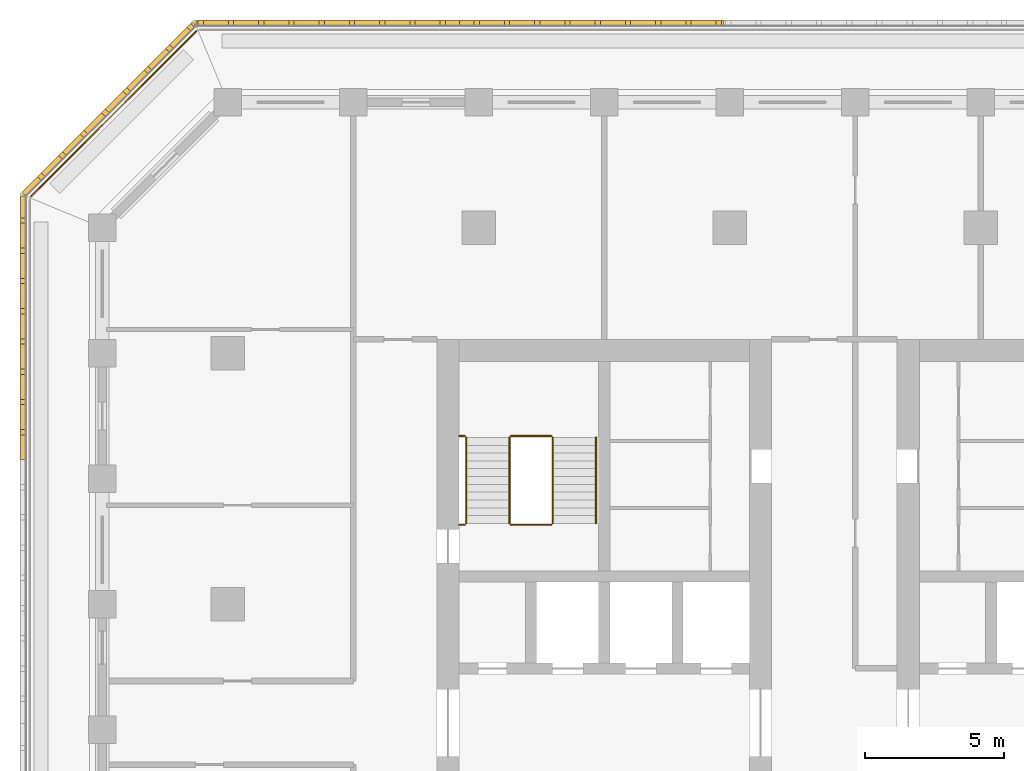
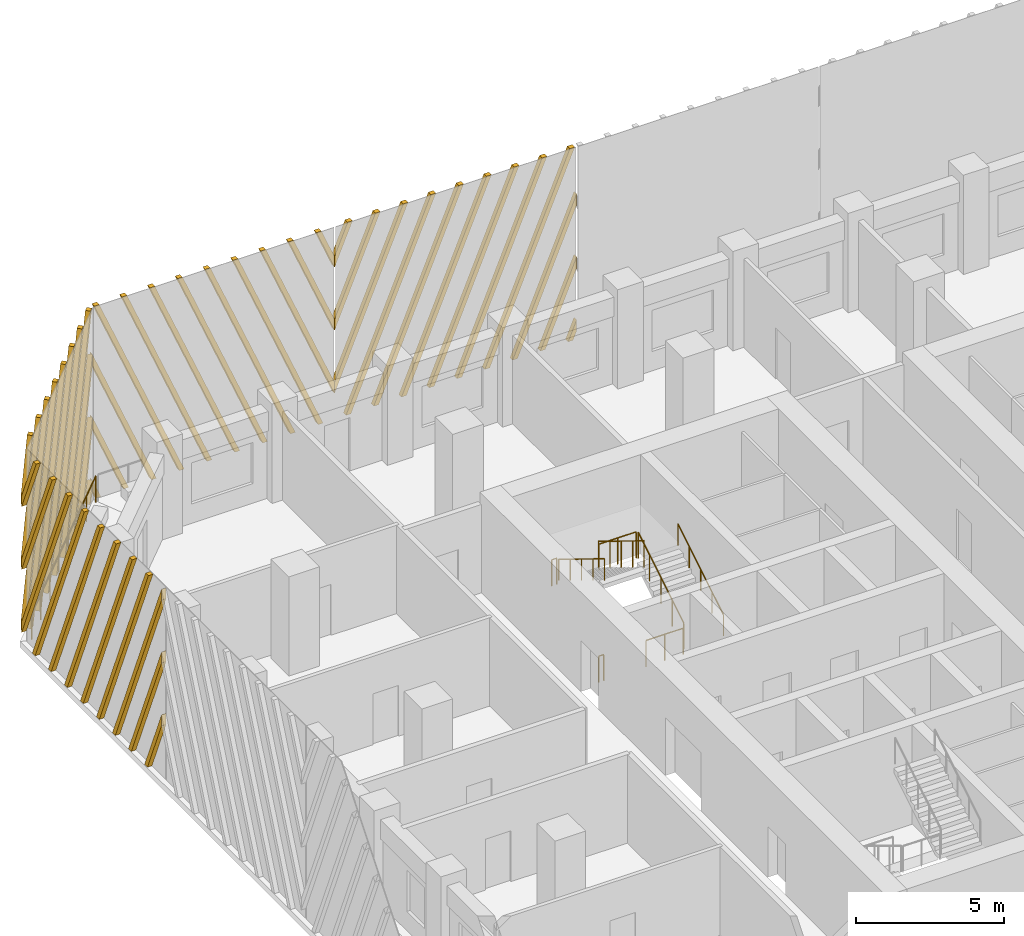
# One storey, part 14 of 17: 9 railings, 4 shading devices.
"""IFC4 building model written with IfcOpenShell, lengths in metres."""

from ifc_helpers import new_model, si_unit, direction, frame, origin, origin_2d, place, context, subcontext, project, spatial, polyline, circle, outline, extrude, source, transform, mapped, material, type_object, element, save


model = new_model("IFC4")

# Units and contexts
model_context = context("Model", 3, precision=1e-05, world=origin(), true_north=direction((0.0, 1.0)))
body_context = subcontext(model_context, "Body", "Model", "MODEL_VIEW")
ifc_project = project(units=[si_unit("LENGTHUNIT", "METRE"), si_unit("AREAUNIT", "SQUARE_METRE"), si_unit("VOLUMEUNIT", "CUBIC_METRE"), si_unit("PLANEANGLEUNIT", "RADIAN"), si_unit("MASSUNIT", "GRAM", prefix="KILO")], contexts=[model_context])

# Site, building, storey
site_placement = place(None, origin())
site = spatial("IfcSite", under=ifc_project, at=site_placement, CompositionType="ELEMENT")
building_placement = place(site_placement, origin())
building = spatial("IfcBuilding", under=site, at=building_placement, Name="Corbel Stack Research Tower", CompositionType="ELEMENT")
storey_placement = place(building_placement, frame((0.0, 0.0, 207.89990234375)))
storey = spatial("IfcBuildingStorey", under=building, at=storey_placement, Name="L47", CompositionType="ELEMENT", Elevation=207.89990234375)

# Railings
ifc_material_1 = material(Name="Steel S355", Category="steel")
railing_type_1 = type_object("IfcRailingType", Name="Stair guard 1100", PredefinedType="GUARDRAIL", material=ifc_material_1)
railing_1_placement = place(storey_placement, frame((-6.35009765625, 11.89990234375, 0.1708984375)))
element("IfcRailing", 1, at=railing_1_placement, inside=storey, type_object=railing_type_1, Name="L47 ST-W2 stair guard 1", PredefinedType="GUARDRAIL", context=body_context, shape_type="SweptSolid", body=[
    extrude(circle(Radius=0.02392578125, at=origin_2d()), frame((0.0, 0.0, 1.076171875), z_axis=(0.0, 0.853666305674, 0.52082035152), x_axis=(-1.0, 0.0, 0.0)), (0.0, 0.0, 1.0), 3.608154296875),
    extrude(circle(Radius=0.02099609375, at=origin_2d()), origin(), (0.0, 0.0, 1.0), 1.052001953125),
    extrude(circle(Radius=0.02099609375, at=origin_2d()), frame((0.0, 0.77001953125, 0.4697265625)), (0.0, 0.0, 1.0), 1.052001953125),
    extrude(circle(Radius=0.02099609375, at=origin_2d()), frame((0.0, 1.5400390625, 0.939453125)), (0.0, 0.0, 1.0), 1.052001953125),
    extrude(circle(Radius=0.02099609375, at=origin_2d()), frame((0.0, 2.31005859375, 1.409423828125)), (0.0, 0.0, 1.0), 1.052001953125),
    extrude(circle(Radius=0.02099609375, at=origin_2d()), frame((0.0, 3.080078125, 1.879150390625)), (0.0, 0.0, 1.0), 1.052001953125),
])
railing_2_placement = place(storey_placement, frame((-6.39990234375, 15.030029296875, 2.050048828125)))
element("IfcRailing", 2, at=railing_2_placement, inside=storey, type_object=railing_type_1, Name="L47 ST-W2 stair guard 2", PredefinedType="GUARDRAIL", context=body_context, shape_type="SweptSolid", body=[
    extrude(circle(Radius=0.02392578125, at=origin_2d()), frame((0.0, 0.0, 1.076171875), z_axis=(-1.0, 0.0, 0.0), x_axis=(0.0, -1.0, 0.0)), (0.0, 0.0, 1.0), 1.4501953125),
    extrude(circle(Radius=0.02099609375, at=origin_2d()), origin(), (0.0, 0.0, 1.0), 1.052001953125),
    extrude(circle(Radius=0.02099609375, at=origin_2d()), frame((-0.72509765625, 0.0, 0.0)), (0.0, 0.0, 1.0), 1.052001953125),
    extrude(circle(Radius=0.02099609375, at=origin_2d()), frame((-1.4501953125, 0.0, 0.0)), (0.0, 0.0, 1.0), 1.052001953125),
])
railing_3_placement = place(storey_placement, frame((-9.5, 15.030029296875, 2.050048828125)))
element("IfcRailing", 3, at=railing_3_placement, inside=storey, type_object=railing_type_1, Name="L47 ST-W2 stair guard 3", PredefinedType="GUARDRAIL", context=body_context, shape_type="SweptSolid", body=[
    extrude(circle(Radius=0.02392578125, at=origin_2d()), frame((0.0, 0.0, 1.076171875), z_axis=(-1.0, 0.0, 0.0), x_axis=(0.0, -1.0, 0.0)), (0.0, 0.0, 1.0), 0.199951171875),
    extrude(circle(Radius=0.02099609375, at=origin_2d()), origin(), (0.0, 0.0, 1.0), 1.052001953125),
    extrude(circle(Radius=0.02099609375, at=origin_2d()), frame((-0.199951171875, 0.0, 0.0)), (0.0, 0.0, 1.0), 1.052001953125),
])
railing_4_placement = place(storey_placement, frame((-7.89990234375, 14.97998046875, 2.220947265625)))
element("IfcRailing", 4, at=railing_4_placement, inside=storey, type_object=railing_type_1, Name="L47 ST-W2 stair guard 4", PredefinedType="GUARDRAIL", context=body_context, shape_type="SweptSolid", body=[
    extrude(circle(Radius=0.02392578125, at=origin_2d()), frame((0.0, 0.0, 1.076171875), z_axis=(0.0, -0.853666305674, 0.52082035152), x_axis=(1.0, 0.0, 0.0)), (0.0, 0.0, 1.0), 3.608154296875),
    extrude(circle(Radius=0.02099609375, at=origin_2d()), origin(), (0.0, 0.0, 1.0), 1.052001953125),
    extrude(circle(Radius=0.02099609375, at=origin_2d()), frame((0.0, -0.77001953125, 0.4697265625)), (0.0, 0.0, 1.0), 1.052001953125),
    extrude(circle(Radius=0.02099609375, at=origin_2d()), frame((0.0, -1.5400390625, 0.939453125)), (0.0, 0.0, 1.0), 1.052001953125),
    extrude(circle(Radius=0.02099609375, at=origin_2d()), frame((0.0, -2.31005859375, 1.409423828125)), (0.0, 0.0, 1.0), 1.052001953125),
    extrude(circle(Radius=0.02099609375, at=origin_2d()), frame((0.0, -3.080078125, 1.879150390625)), (0.0, 0.0, 1.0), 1.052001953125),
])
railing_5_placement = place(storey_placement, frame((-6.39990234375, 11.85009765625, 0.0)))
element("IfcRailing", 5, at=railing_5_placement, inside=storey, type_object=railing_type_1, Name="L47 ST-W2 stair guard 5", PredefinedType="GUARDRAIL", context=body_context, shape_type="SweptSolid", body=[
    extrude(circle(Radius=0.02392578125, at=origin_2d()), frame((0.0, 0.0, 1.076171875), z_axis=(-1.0, 0.0, 0.0), x_axis=(0.0, -1.0, 0.0)), (0.0, 0.0, 1.0), 1.4501953125),
    extrude(circle(Radius=0.02099609375, at=origin_2d()), origin(), (0.0, 0.0, 1.0), 1.052001953125),
    extrude(circle(Radius=0.02099609375, at=origin_2d()), frame((-0.72509765625, 0.0, 0.0)), (0.0, 0.0, 1.0), 1.052001953125),
    extrude(circle(Radius=0.02099609375, at=origin_2d()), frame((-1.4501953125, 0.0, 0.0)), (0.0, 0.0, 1.0), 1.052001953125),
])
railing_6_placement = place(storey_placement, frame((-9.5, 11.85009765625, 0.0)))
element("IfcRailing", 6, at=railing_6_placement, inside=storey, type_object=railing_type_1, Name="L47 ST-W2 stair guard 6", PredefinedType="GUARDRAIL", context=body_context, shape_type="SweptSolid", body=[
    extrude(circle(Radius=0.02392578125, at=origin_2d()), frame((0.0, 0.0, 1.076171875), z_axis=(-1.0, 0.0, 0.0), x_axis=(0.0, -1.0, 0.0)), (0.0, 0.0, 1.0), 0.199951171875),
    extrude(circle(Radius=0.02099609375, at=origin_2d()), origin(), (0.0, 0.0, 1.0), 1.052001953125),
    extrude(circle(Radius=0.02099609375, at=origin_2d()), frame((-0.199951171875, 0.0, 0.0)), (0.0, 0.0, 1.0), 1.052001953125),
])
ifc_material_2 = material(Name="Steel S355", Category="steel")
railing_type_2 = type_object("IfcRailingType", Name="Stair handrail 900", PredefinedType="HANDRAIL", material=ifc_material_2)
railing_7_placement = place(storey_placement, frame((-4.800048828125, 11.89990234375, 0.1708984375)))
element("IfcRailing", 7, at=railing_7_placement, inside=storey, type_object=railing_type_2, Name="L47 ST-W2 stair handrail 1", PredefinedType="HANDRAIL", context=body_context, shape_type="SweptSolid", body=[
    extrude(circle(Radius=0.02392578125, at=origin_2d()), frame((0.0, 0.0, 0.8759765625), z_axis=(0.0, 0.853666305674, 0.52082035152), x_axis=(-1.0, 0.0, 0.0)), (0.0, 0.0, 1.0), 3.608154296875),
    extrude(circle(Radius=0.02099609375, at=origin_2d()), origin(), (0.0, 0.0, 1.0), 0.851806640625),
    extrude(circle(Radius=0.02099609375, at=origin_2d()), frame((0.0, 0.77001953125, 0.4697265625)), (0.0, 0.0, 1.0), 0.851806640625),
    extrude(circle(Radius=0.02099609375, at=origin_2d()), frame((0.0, 1.5400390625, 0.939453125)), (0.0, 0.0, 1.0), 0.851806640625),
    extrude(circle(Radius=0.02099609375, at=origin_2d()), frame((0.0, 2.31005859375, 1.409423828125)), (0.0, 0.0, 1.0), 0.851806640625),
    extrude(circle(Radius=0.02099609375, at=origin_2d()), frame((0.0, 3.080078125, 1.879150390625)), (0.0, 0.0, 1.0), 0.851806640625),
])
railing_8_placement = place(storey_placement, frame((-9.449951171875, 14.97998046875, 2.220947265625)))
element("IfcRailing", 8, at=railing_8_placement, inside=storey, type_object=railing_type_2, Name="L47 ST-W2 stair handrail 2", PredefinedType="HANDRAIL", context=body_context, shape_type="SweptSolid", body=[
    extrude(circle(Radius=0.02392578125, at=origin_2d()), frame((0.0, 0.0, 0.8759765625), z_axis=(0.0, -0.853666305674, 0.52082035152), x_axis=(1.0, 0.0, 0.0)), (0.0, 0.0, 1.0), 3.608154296875),
    extrude(circle(Radius=0.02099609375, at=origin_2d()), origin(), (0.0, 0.0, 1.0), 0.851806640625),
    extrude(circle(Radius=0.02099609375, at=origin_2d()), frame((0.0, -0.77001953125, 0.4697265625)), (0.0, 0.0, 1.0), 0.851806640625),
    extrude(circle(Radius=0.02099609375, at=origin_2d()), frame((0.0, -1.5400390625, 0.939453125)), (0.0, 0.0, 1.0), 0.851806640625),
    extrude(circle(Radius=0.02099609375, at=origin_2d()), frame((0.0, -2.31005859375, 1.409423828125)), (0.0, 0.0, 1.0), 0.851806640625),
    extrude(circle(Radius=0.02099609375, at=origin_2d()), frame((0.0, -3.080078125, 1.879150390625)), (0.0, 0.0, 1.0), 0.851806640625),
])
ifc_material_3 = material(Name="Powder-coated steel guard", Category="steel")
railing_type_3 = type_object("IfcRailingType", Name="Steel and glass guard 1100", PredefinedType="GUARDRAIL", material=ifc_material_3)
railing_9_placement = place(storey_placement, frame((-19.127685546875, 29.54931640625, 0.0)))
element("IfcRailing", 9, at=railing_9_placement, inside=storey, type_object=railing_type_3, Name="Loggia guard L47 NW", PredefinedType="GUARDRAIL", context=body_context, shape_type="SweptSolid", body=[
    extrude(circle(Radius=0.02392578125, at=origin_2d()), frame((0.0, 0.0, 1.076171875), z_axis=(-0.707106781187, -0.707106781187, 0.0), x_axis=(0.707106781187, -0.707106781187, 0.0)), (0.0, 0.0, 1.0), 8.37451171875),
    extrude(circle(Radius=0.02099609375, at=origin_2d()), origin(), (0.0, 0.0, 1.0), 1.052001953125),
    extrude(circle(Radius=0.02099609375, at=origin_2d()), frame((-0.845947265625, -0.845947265625, 0.0)), (0.0, 0.0, 1.0), 1.052001953125),
    extrude(circle(Radius=0.02099609375, at=origin_2d()), frame((-1.69189453125, -1.69189453125, 0.0)), (0.0, 0.0, 1.0), 1.052001953125),
    extrude(circle(Radius=0.02099609375, at=origin_2d()), frame((-2.537841796875, -2.537841796875, 0.0)), (0.0, 0.0, 1.0), 1.052001953125),
    extrude(circle(Radius=0.02099609375, at=origin_2d()), frame((-3.3837890625, -3.3837890625, 0.0)), (0.0, 0.0, 1.0), 1.052001953125),
    extrude(circle(Radius=0.02099609375, at=origin_2d()), frame((-4.229736328125, -4.229736328125, 0.0)), (0.0, 0.0, 1.0), 1.052001953125),
    extrude(circle(Radius=0.02099609375, at=origin_2d()), frame((-5.07568359375, -5.07568359375, 0.0)), (0.0, 0.0, 1.0), 1.052001953125),
    extrude(circle(Radius=0.02099609375, at=origin_2d()), frame((-5.921630859375, -5.921630859375, 0.0)), (0.0, 0.0, 1.0), 1.052001953125),
])

# Shading devices
ifc_material_4 = material(Name="Precast terracotta", Category="masonry")
shading_device_type = type_object("IfcShadingDeviceType", Name="Terracotta screen panel", PredefinedType="USERDEFINED", material=ifc_material_4)
shared_shape_1 = source(origin(), body_context, "Body", "SweptSolid", [
    extrude(outline(polyline([(0.70361328125, 7.949951171875), (0.513427734375, 7.949951171875), (0.0, 6.720458984375), (0.0, 6.265380859375), (0.70361328125, 7.949951171875)])), frame((0.0, 0.0, 0.0), z_axis=(0.0, -1.0, 0.0), x_axis=(1.0, 0.0, 0.0)), (0.0, 0.0, 1.0), 0.179931640625),
    extrude(outline(polyline([(1.7880859375, 7.949951171875), (1.59814453125, 7.949951171875), (0.0, 4.123291015625), (0.0, 3.668212890625), (1.7880859375, 7.949951171875)])), frame((0.0, 0.0, 0.0), z_axis=(0.0, -1.0, 0.0), x_axis=(1.0, 0.0, 0.0)), (0.0, 0.0, 1.0), 0.179931640625),
    extrude(outline(polyline([(2.872802734375, 7.949951171875), (2.682861328125, 7.949951171875), (0.0, 1.526123046875), (0.0, 1.071044921875), (2.872802734375, 7.949951171875)])), frame((0.0, 0.0, 0.0), z_axis=(0.0, -1.0, 0.0), x_axis=(1.0, 0.0, 0.0)), (0.0, 0.0, 1.0), 0.179931640625),
    extrude(outline(polyline([(0.63720703125, 0.0), (3.95751953125, 7.949951171875), (3.767578125, 7.949951171875), (0.447265625, 0.0), (0.63720703125, 0.0)])), frame((0.0, 0.0, 0.0), z_axis=(0.0, -1.0, 0.0), x_axis=(1.0, 0.0, 0.0)), (0.0, 0.0, 1.0), 0.179931640625),
    extrude(outline(polyline([(1.721923828125, 0.0), (5.042236328125, 7.949951171875), (4.852294921875, 7.949951171875), (1.531982421875, 0.0), (1.721923828125, 0.0)])), frame((0.0, 0.0, 0.0), z_axis=(0.0, -1.0, 0.0), x_axis=(1.0, 0.0, 0.0)), (0.0, 0.0, 1.0), 0.179931640625),
    extrude(outline(polyline([(2.806640625, 0.0), (6.126708984375, 7.949951171875), (5.936767578125, 7.949951171875), (2.61669921875, 0.0), (2.806640625, 0.0)])), frame((0.0, 0.0, 0.0), z_axis=(0.0, -1.0, 0.0), x_axis=(1.0, 0.0, 0.0)), (0.0, 0.0, 1.0), 0.179931640625),
    extrude(outline(polyline([(3.891357421875, 0.0), (7.21142578125, 7.949951171875), (7.021484375, 7.949951171875), (3.701416015625, 0.0), (3.891357421875, 0.0)])), frame((0.0, 0.0, 0.0), z_axis=(0.0, -1.0, 0.0), x_axis=(1.0, 0.0, 0.0)), (0.0, 0.0, 1.0), 0.179931640625),
    extrude(outline(polyline([(4.97607421875, 0.0), (8.296142578125, 7.949951171875), (8.106201171875, 7.949951171875), (4.785888671875, 0.0), (4.97607421875, 0.0)])), frame((0.0, 0.0, 0.0), z_axis=(0.0, -1.0, 0.0), x_axis=(1.0, 0.0, 0.0)), (0.0, 0.0, 1.0), 0.179931640625),
    extrude(outline(polyline([(6.060791015625, 0.0), (9.380859375, 7.949951171875), (9.19091796875, 7.949951171875), (5.87060546875, 0.0), (6.060791015625, 0.0)])), frame((0.0, 0.0, 0.0), z_axis=(0.0, -1.0, 0.0), x_axis=(1.0, 0.0, 0.0)), (0.0, 0.0, 1.0), 0.179931640625),
    extrude(outline(polyline([(7.145263671875, 0.0), (9.45556640625, 5.531982421875), (9.45556640625, 5.98681640625), (6.955322265625, 0.0), (7.145263671875, 0.0)])), frame((0.0, 0.0, 0.0), z_axis=(0.0, -1.0, 0.0), x_axis=(1.0, 0.0, 0.0)), (0.0, 0.0, 1.0), 0.179931640625),
    extrude(outline(polyline([(8.22998046875, 0.0), (9.45556640625, 2.934814453125), (9.45556640625, 3.3896484375), (8.0400390625, 0.0), (8.22998046875, 0.0)])), frame((0.0, 0.0, 0.0), z_axis=(0.0, -1.0, 0.0), x_axis=(1.0, 0.0, 0.0)), (0.0, 0.0, 1.0), 0.179931640625),
    extrude(outline(polyline([(9.314697265625, 0.0), (9.45556640625, 0.337646484375), (9.45556640625, 0.79248046875), (9.124755859375, 0.0), (9.314697265625, 0.0)])), frame((0.0, 0.0, 0.0), z_axis=(0.0, -1.0, 0.0), x_axis=(1.0, 0.0, 0.0)), (0.0, 0.0, 1.0), 0.179931640625),
])
shading_device_1_placement = place(storey_placement, frame((-9.68359375, 29.75, 0.0), z_axis=(0.0, 0.0, 1.0), x_axis=(-1.0, 0.0, 0.0)))
element("IfcShadingDevice", 10, at=shading_device_1_placement, inside=storey, type_object=shading_device_type, Name="Terracotta screen L47 N5", ObjectType="SCREEN", PredefinedType="USERDEFINED", context=body_context, shape_type="MappedRepresentation", body=[
    mapped(shared_shape_1, transform((0.0, 0.0, 0.0))),
])
shared_shape_2 = source(origin(), body_context, "Body", "SweptSolid", [
    extrude(outline(polyline([(0.3310546875, 0.0), (0.0, 0.79248046875), (0.0, 0.337646484375), (0.14111328125, 0.0), (0.3310546875, 0.0)])), frame((0.0, 0.0, 0.0), z_axis=(0.0, -1.0, 0.0), x_axis=(1.0, 0.0, 0.0)), (0.0, 0.0, 1.0), 0.179931640625),
    extrude(outline(polyline([(1.41552734375, 0.0), (0.0, 3.3896484375), (0.0, 2.934814453125), (1.2255859375, 0.0), (1.41552734375, 0.0)])), frame((0.0, 0.0, 0.0), z_axis=(0.0, -1.0, 0.0), x_axis=(1.0, 0.0, 0.0)), (0.0, 0.0, 1.0), 0.179931640625),
    extrude(outline(polyline([(2.500244140625, 0.0), (0.0, 5.98681640625), (0.0, 5.531982421875), (2.310302734375, 0.0), (2.500244140625, 0.0)])), frame((0.0, 0.0, 0.0), z_axis=(0.0, -1.0, 0.0), x_axis=(1.0, 0.0, 0.0)), (0.0, 0.0, 1.0), 0.179931640625),
    extrude(outline(polyline([(3.5849609375, 0.0), (0.264892578125, 7.949951171875), (0.07470703125, 7.949951171875), (3.39501953125, 0.0), (3.5849609375, 0.0)])), frame((0.0, 0.0, 0.0), z_axis=(0.0, -1.0, 0.0), x_axis=(1.0, 0.0, 0.0)), (0.0, 0.0, 1.0), 0.179931640625),
    extrude(outline(polyline([(4.669677734375, 0.0), (1.349609375, 7.949951171875), (1.159423828125, 7.949951171875), (4.4794921875, 0.0), (4.669677734375, 0.0)])), frame((0.0, 0.0, 0.0), z_axis=(0.0, -1.0, 0.0), x_axis=(1.0, 0.0, 0.0)), (0.0, 0.0, 1.0), 0.179931640625),
    extrude(outline(polyline([(5.75439453125, 0.0), (2.43408203125, 7.949951171875), (2.244140625, 7.949951171875), (5.564208984375, 0.0), (5.75439453125, 0.0)])), frame((0.0, 0.0, 0.0), z_axis=(0.0, -1.0, 0.0), x_axis=(1.0, 0.0, 0.0)), (0.0, 0.0, 1.0), 0.179931640625),
    extrude(outline(polyline([(6.839111328125, 0.0), (3.518798828125, 7.949951171875), (3.328857421875, 7.949951171875), (6.64892578125, 0.0), (6.839111328125, 0.0)])), frame((0.0, 0.0, 0.0), z_axis=(0.0, -1.0, 0.0), x_axis=(1.0, 0.0, 0.0)), (0.0, 0.0, 1.0), 0.179931640625),
    extrude(outline(polyline([(7.923583984375, 0.0), (4.603515625, 7.949951171875), (4.41357421875, 7.949951171875), (7.733642578125, 0.0), (7.923583984375, 0.0)])), frame((0.0, 0.0, 0.0), z_axis=(0.0, -1.0, 0.0), x_axis=(1.0, 0.0, 0.0)), (0.0, 0.0, 1.0), 0.179931640625),
    extrude(outline(polyline([(9.00830078125, 0.0), (5.68798828125, 7.949951171875), (5.498046875, 7.949951171875), (8.818359375, 0.0), (9.00830078125, 0.0)])), frame((0.0, 0.0, 0.0), z_axis=(0.0, -1.0, 0.0), x_axis=(1.0, 0.0, 0.0)), (0.0, 0.0, 1.0), 0.179931640625),
    extrude(outline(polyline([(6.772705078125, 7.949951171875), (6.582763671875, 7.949951171875), (9.45556640625, 1.071044921875), (9.45556640625, 1.526123046875), (6.772705078125, 7.949951171875)])), frame((0.0, 0.0, 0.0), z_axis=(0.0, -1.0, 0.0), x_axis=(1.0, 0.0, 0.0)), (0.0, 0.0, 1.0), 0.179931640625),
    extrude(outline(polyline([(7.857421875, 7.949951171875), (7.66748046875, 7.949951171875), (9.45556640625, 3.668212890625), (9.45556640625, 4.123291015625), (7.857421875, 7.949951171875)])), frame((0.0, 0.0, 0.0), z_axis=(0.0, -1.0, 0.0), x_axis=(1.0, 0.0, 0.0)), (0.0, 0.0, 1.0), 0.179931640625),
    extrude(outline(polyline([(8.942138671875, 7.949951171875), (8.752197265625, 7.949951171875), (9.45556640625, 6.265380859375), (9.45556640625, 6.720458984375), (8.942138671875, 7.949951171875)])), frame((0.0, 0.0, 0.0), z_axis=(0.0, -1.0, 0.0), x_axis=(1.0, 0.0, 0.0)), (0.0, 0.0, 1.0), 0.179931640625),
])
shading_device_2_placement = place(storey_placement, frame((-0.227783203125, 29.75, 0.0), z_axis=(0.0, 0.0, 1.0), x_axis=(-1.0, 0.0, 0.0)))
element("IfcShadingDevice", 11, at=shading_device_2_placement, inside=storey, type_object=shading_device_type, Name="Terracotta screen L47 N4", ObjectType="SCREEN", PredefinedType="USERDEFINED", context=body_context, shape_type="MappedRepresentation", body=[
    mapped(shared_shape_2, transform((0.0, 0.0, 0.0))),
])
shared_shape_3 = source(origin(), body_context, "Body", "SweptSolid", [
    extrude(outline(polyline([(0.3310546875, 0.0), (0.0, 0.79248046875), (0.0, 0.337646484375), (0.14111328125, 0.0), (0.3310546875, 0.0)])), frame((0.0, 0.0, 0.0), z_axis=(0.0, -1.0, 0.0), x_axis=(1.0, 0.0, 0.0)), (0.0, 0.0, 1.0), 0.179931640625),
    extrude(outline(polyline([(1.41552734375, 0.0), (0.0, 3.3896484375), (0.0, 2.934814453125), (1.2255859375, 0.0), (1.41552734375, 0.0)])), frame((0.0, 0.0, 0.0), z_axis=(0.0, -1.0, 0.0), x_axis=(1.0, 0.0, 0.0)), (0.0, 0.0, 1.0), 0.179931640625),
    extrude(outline(polyline([(2.500244140625, 0.0), (0.0, 5.98681640625), (0.0, 5.531982421875), (2.310302734375, 0.0), (2.500244140625, 0.0)])), frame((0.0, 0.0, 0.0), z_axis=(0.0, -1.0, 0.0), x_axis=(1.0, 0.0, 0.0)), (0.0, 0.0, 1.0), 0.179931640625),
    extrude(outline(polyline([(3.5849609375, 0.0), (0.264892578125, 7.949951171875), (0.07470703125, 7.949951171875), (3.39501953125, 0.0), (3.5849609375, 0.0)])), frame((0.0, 0.0, 0.0), z_axis=(0.0, -1.0, 0.0), x_axis=(1.0, 0.0, 0.0)), (0.0, 0.0, 1.0), 0.179931640625),
    extrude(outline(polyline([(4.669677734375, 0.0), (1.349609375, 7.949951171875), (1.159423828125, 7.949951171875), (4.4794921875, 0.0), (4.669677734375, 0.0)])), frame((0.0, 0.0, 0.0), z_axis=(0.0, -1.0, 0.0), x_axis=(1.0, 0.0, 0.0)), (0.0, 0.0, 1.0), 0.179931640625),
    extrude(outline(polyline([(5.75439453125, 0.0), (2.43408203125, 7.949951171875), (2.244140625, 7.949951171875), (5.564208984375, 0.0), (5.75439453125, 0.0)])), frame((0.0, 0.0, 0.0), z_axis=(0.0, -1.0, 0.0), x_axis=(1.0, 0.0, 0.0)), (0.0, 0.0, 1.0), 0.179931640625),
    extrude(outline(polyline([(6.839111328125, 0.0), (3.518798828125, 7.949951171875), (3.328857421875, 7.949951171875), (6.64892578125, 0.0), (6.839111328125, 0.0)])), frame((0.0, 0.0, 0.0), z_axis=(0.0, -1.0, 0.0), x_axis=(1.0, 0.0, 0.0)), (0.0, 0.0, 1.0), 0.179931640625),
    extrude(outline(polyline([(7.923583984375, 0.0), (4.603515625, 7.949951171875), (4.41357421875, 7.949951171875), (7.733642578125, 0.0), (7.923583984375, 0.0)])), frame((0.0, 0.0, 0.0), z_axis=(0.0, -1.0, 0.0), x_axis=(1.0, 0.0, 0.0)), (0.0, 0.0, 1.0), 0.179931640625),
    extrude(outline(polyline([(5.68798828125, 7.949951171875), (5.498046875, 7.949951171875), (8.64208984375, 0.421875), (8.64208984375, 0.876708984375), (5.68798828125, 7.949951171875)])), frame((0.0, 0.0, 0.0), z_axis=(0.0, -1.0, 0.0), x_axis=(1.0, 0.0, 0.0)), (0.0, 0.0, 1.0), 0.179931640625),
    extrude(outline(polyline([(6.772705078125, 7.949951171875), (6.582763671875, 7.949951171875), (8.64208984375, 3.01904296875), (8.64208984375, 3.473876953125), (6.772705078125, 7.949951171875)])), frame((0.0, 0.0, 0.0), z_axis=(0.0, -1.0, 0.0), x_axis=(1.0, 0.0, 0.0)), (0.0, 0.0, 1.0), 0.179931640625),
    extrude(outline(polyline([(7.857421875, 7.949951171875), (7.66748046875, 7.949951171875), (8.64208984375, 5.6162109375), (8.64208984375, 6.071044921875), (7.857421875, 7.949951171875)])), frame((0.0, 0.0, 0.0), z_axis=(0.0, -1.0, 0.0), x_axis=(1.0, 0.0, 0.0)), (0.0, 0.0, 1.0), 0.179931640625),
])
shading_device_3_placement = place(storey_placement, frame((-19.13916015625, 29.75, 0.0), z_axis=(0.0, 0.0, 1.0), x_axis=(-0.707106781187, -0.707106781187, 0.0)))
element("IfcShadingDevice", 12, at=shading_device_3_placement, inside=storey, type_object=shading_device_type, Name="Terracotta screen L47 NW1", ObjectType="SCREEN", PredefinedType="USERDEFINED", context=body_context, shape_type="MappedRepresentation", body=[
    mapped(shared_shape_3, transform((0.0, 0.0, 0.0))),
])
shared_shape_4 = source(origin(), body_context, "Body", "SweptSolid", [
    extrude(outline(polyline([(0.974609375, 7.949951171875), (0.78466796875, 7.949951171875), (0.0, 6.071044921875), (0.0, 5.6162109375), (0.974609375, 7.949951171875)])), frame((0.0, 0.0, 0.0), z_axis=(0.0, -1.0, 0.0), x_axis=(1.0, 0.0, 0.0)), (0.0, 0.0, 1.0), 0.179931640625),
    extrude(outline(polyline([(2.059326171875, 7.949951171875), (1.869384765625, 7.949951171875), (0.0, 3.473876953125), (0.0, 3.01904296875), (2.059326171875, 7.949951171875)])), frame((0.0, 0.0, 0.0), z_axis=(0.0, -1.0, 0.0), x_axis=(1.0, 0.0, 0.0)), (0.0, 0.0, 1.0), 0.179931640625),
    extrude(outline(polyline([(3.14404296875, 7.949951171875), (2.9541015625, 7.949951171875), (0.0, 0.876708984375), (0.0, 0.421875), (3.14404296875, 7.949951171875)])), frame((0.0, 0.0, 0.0), z_axis=(0.0, -1.0, 0.0), x_axis=(1.0, 0.0, 0.0)), (0.0, 0.0, 1.0), 0.179931640625),
    extrude(outline(polyline([(0.908447265625, 0.0), (4.228759765625, 7.949951171875), (4.038818359375, 7.949951171875), (0.718505859375, 0.0), (0.908447265625, 0.0)])), frame((0.0, 0.0, 0.0), z_axis=(0.0, -1.0, 0.0), x_axis=(1.0, 0.0, 0.0)), (0.0, 0.0, 1.0), 0.179931640625),
    extrude(outline(polyline([(1.9931640625, 0.0), (5.313232421875, 7.949951171875), (5.123291015625, 7.949951171875), (1.80322265625, 0.0), (1.9931640625, 0.0)])), frame((0.0, 0.0, 0.0), z_axis=(0.0, -1.0, 0.0), x_axis=(1.0, 0.0, 0.0)), (0.0, 0.0, 1.0), 0.179931640625),
    extrude(outline(polyline([(3.077880859375, 0.0), (6.39794921875, 7.949951171875), (6.2080078125, 7.949951171875), (2.8876953125, 0.0), (3.077880859375, 0.0)])), frame((0.0, 0.0, 0.0), z_axis=(0.0, -1.0, 0.0), x_axis=(1.0, 0.0, 0.0)), (0.0, 0.0, 1.0), 0.179931640625),
    extrude(outline(polyline([(4.16259765625, 0.0), (7.482666015625, 7.949951171875), (7.292724609375, 7.949951171875), (3.972412109375, 0.0), (4.16259765625, 0.0)])), frame((0.0, 0.0, 0.0), z_axis=(0.0, -1.0, 0.0), x_axis=(1.0, 0.0, 0.0)), (0.0, 0.0, 1.0), 0.179931640625),
    extrude(outline(polyline([(5.247314453125, 0.0), (8.5673828125, 7.949951171875), (8.377197265625, 7.949951171875), (5.05712890625, 0.0), (5.247314453125, 0.0)])), frame((0.0, 0.0, 0.0), z_axis=(0.0, -1.0, 0.0), x_axis=(1.0, 0.0, 0.0)), (0.0, 0.0, 1.0), 0.179931640625),
    extrude(outline(polyline([(6.331787109375, 0.0), (9.45556640625, 7.479736328125), (9.45556640625, 7.934814453125), (6.141845703125, 0.0), (6.331787109375, 0.0)])), frame((0.0, 0.0, 0.0), z_axis=(0.0, -1.0, 0.0), x_axis=(1.0, 0.0, 0.0)), (0.0, 0.0, 1.0), 0.179931640625),
    extrude(outline(polyline([(7.41650390625, 0.0), (9.45556640625, 4.882568359375), (9.45556640625, 5.337646484375), (7.2265625, 0.0), (7.41650390625, 0.0)])), frame((0.0, 0.0, 0.0), z_axis=(0.0, -1.0, 0.0), x_axis=(1.0, 0.0, 0.0)), (0.0, 0.0, 1.0), 0.179931640625),
    extrude(outline(polyline([(8.501220703125, 0.0), (9.45556640625, 2.285400390625), (9.45556640625, 2.740478515625), (8.311279296875, 0.0), (8.501220703125, 0.0)])), frame((0.0, 0.0, 0.0), z_axis=(0.0, -1.0, 0.0), x_axis=(1.0, 0.0, 0.0)), (0.0, 0.0, 1.0), 0.179931640625),
])
shading_device_4_placement = place(storey_placement, frame((-25.25, 23.63916015625, 0.0), z_axis=(0.0, 0.0, 1.0), x_axis=(0.0, -1.0, 0.0)))
element("IfcShadingDevice", 13, at=shading_device_4_placement, inside=storey, type_object=shading_device_type, Name="Terracotta screen L47 W1", ObjectType="SCREEN", PredefinedType="USERDEFINED", context=body_context, shape_type="MappedRepresentation", body=[
    mapped(shared_shape_4, transform((0.0, 0.0, 0.0))),
])

save(model, "model.ifc")
